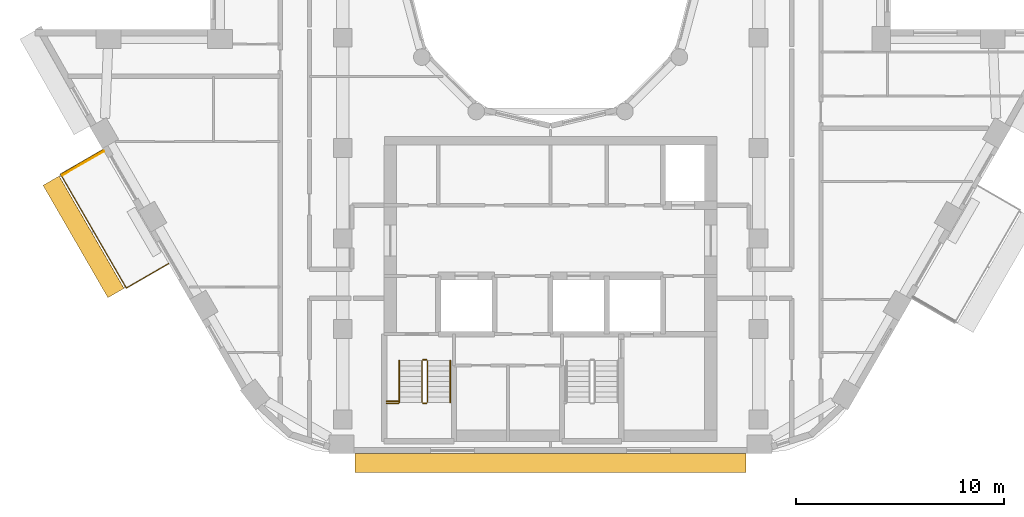
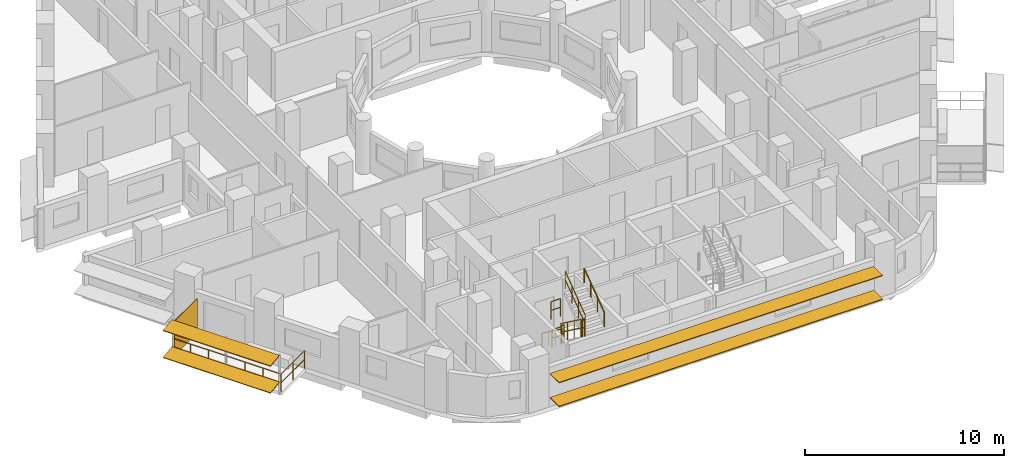
# One storey, part 13 of 16: 9 railings, 5 shading devices.
"""IFC4 building model written with IfcOpenShell, lengths in metres."""

from ifc_helpers import new_model, si_unit, direction, frame, origin, origin_2d, place, context, subcontext, project, spatial, rectangle, circle, extrude, material, layer, layer_set, material_profile, profile_set, type_object, element, save


model = new_model("IFC4")

# Units and contexts
model_context = context("Model", 3, precision=1e-05, world=origin(), true_north=direction((0.0, 1.0)))
body_context = subcontext(model_context, "Body", "Model", "MODEL_VIEW")
ifc_project = project(units=[si_unit("LENGTHUNIT", "METRE"), si_unit("AREAUNIT", "SQUARE_METRE"), si_unit("VOLUMEUNIT", "CUBIC_METRE"), si_unit("PLANEANGLEUNIT", "RADIAN"), si_unit("MASSUNIT", "GRAM", prefix="KILO")], contexts=[model_context])

# Site, building, storey
site_placement = place(None, origin())
site = spatial("IfcSite", under=ifc_project, at=site_placement, CompositionType="ELEMENT")
building_placement = place(site_placement, origin())
building = spatial("IfcBuilding", under=site, at=building_placement, Name="Nakaniwa Court", CompositionType="ELEMENT")
storey_placement = place(building_placement, frame((0.0, 0.0, 196.5)))
storey = spatial("IfcBuildingStorey", under=building, at=storey_placement, Name="L51", CompositionType="ELEMENT", Elevation=196.5)

# Railing
ifc_material_1 = material(Name="Black powder-coated steel flat bar balustrade S275", Category="steel")
railing_type_1 = type_object("IfcRailingType", Name="Black metal balcony guard 1100", PredefinedType="GUARDRAIL", material=ifc_material_1)
railing_1_placement = place(storey_placement, frame((58.4814453125, 71.97119140625, -0.050048828125)))
element("IfcRailing", 1, at=railing_1_placement, inside=storey, type_object=railing_type_1, Name="L51 balcony guard 01", PredefinedType="GUARDRAIL", context=body_context, shape_type="SweptSolid", body=[
    extrude(circle(Radius=0.02392578125, at=origin_2d()), frame((0.0, 0.0, 1.076171875), z_axis=(-0.866051224006, -0.499955275397, 0.0), x_axis=(0.499955275397, -0.866051224006, 0.0)), (0.0, 0.0, 1.0), 2.360107421875),
    extrude(circle(Radius=0.02392578125, at=origin_2d()), frame((0.0, 0.0, 0.550048828125), z_axis=(-0.866051224006, -0.499955275397, 0.0), x_axis=(0.499955275397, -0.866051224006, 0.0)), (0.0, 0.0, 1.0), 2.360107421875),
    extrude(circle(Radius=0.02392578125, at=origin_2d()), frame((-2.0439453125, -1.179931640625, 1.076171875), z_axis=(0.500003371769, -0.866023457084, 0.0), x_axis=(0.866023457084, 0.500003371769, 0.0)), (0.0, 0.0, 1.0), 6.3193359375),
    extrude(circle(Radius=0.02392578125, at=origin_2d()), frame((-2.0439453125, -1.179931640625, 0.550048828125), z_axis=(0.500003371769, -0.866023457084, 0.0), x_axis=(0.866023457084, 0.500003371769, 0.0)), (0.0, 0.0, 1.0), 6.3193359375),
    extrude(circle(Radius=0.02392578125, at=origin_2d()), frame((1.11572265625, -6.652587890625, 1.076171875), z_axis=(0.865980564943, 0.500077655111, 0.0), x_axis=(-0.500077655111, 0.865980564943, 0.0)), (0.0, 0.0, 1.0), 2.35986328125),
    extrude(circle(Radius=0.02392578125, at=origin_2d()), frame((1.11572265625, -6.652587890625, 0.550048828125), z_axis=(0.865980564943, 0.500077655111, 0.0), x_axis=(-0.500077655111, 0.865980564943, 0.0)), (0.0, 0.0, 1.0), 2.35986328125),
    extrude(circle(Radius=0.02099609375, at=origin_2d()), origin(), (0.0, 0.0, 1.0), 1.052001953125),
    extrude(circle(Radius=0.02099609375, at=origin_2d()), frame((-1.02197265625, -0.58984375, 0.0)), (0.0, 0.0, 1.0), 1.052001953125),
    extrude(circle(Radius=0.02099609375, at=origin_2d()), frame((-2.0439453125, -1.179931640625, 0.0)), (0.0, 0.0, 1.0), 1.052001953125),
    extrude(circle(Radius=0.02099609375, at=origin_2d()), frame((-1.517333984375, -2.092041015625, 0.0)), (0.0, 0.0, 1.0), 1.052001953125),
    extrude(circle(Radius=0.02099609375, at=origin_2d()), frame((-0.99072265625, -3.004150390625, 0.0)), (0.0, 0.0, 1.0), 1.052001953125),
    extrude(circle(Radius=0.02099609375, at=origin_2d()), frame((-0.464111328125, -3.916259765625, 0.0)), (0.0, 0.0, 1.0), 1.052001953125),
    extrude(circle(Radius=0.02099609375, at=origin_2d()), frame((0.0625, -4.828369140625, 0.0)), (0.0, 0.0, 1.0), 1.052001953125),
    extrude(circle(Radius=0.02099609375, at=origin_2d()), frame((0.589111328125, -5.740478515625, 0.0)), (0.0, 0.0, 1.0), 1.052001953125),
    extrude(circle(Radius=0.02099609375, at=origin_2d()), frame((1.11572265625, -6.652587890625, 0.0)), (0.0, 0.0, 1.0), 1.052001953125),
    extrude(circle(Radius=0.02099609375, at=origin_2d()), frame((2.1376953125, -6.0625, 0.0)), (0.0, 0.0, 1.0), 1.052001953125),
    extrude(circle(Radius=0.02099609375, at=origin_2d()), frame((3.159423828125, -5.472412109375, 0.0)), (0.0, 0.0, 1.0), 1.052001953125),
])

# Shading devices
ifc_material_2 = material(Name="Black powder-coated aluminium slat screen", Category="aluminium")
ifc_layer = layer(ifc_material_2, 0.0400390625)
ifc_layer_set = layer_set([ifc_layer], Name="Black powder-coated aluminium slat screen")
shading_device_type_1 = type_object("IfcShadingDeviceType", Name="Koshi screen black metal", PredefinedType="USERDEFINED", material=ifc_layer_set)
shading_device_placement = place(storey_placement, frame((57.521240234375, 71.324462890625, -0.050048828125), z_axis=(0.0, 0.0, 1.0), x_axis=(0.499986396443, -0.866033257659, 0.0)))
element("IfcShadingDevice", 2, at=shading_device_placement, inside=storey, type_object=shading_device_type_1, Name="L51 balcony SCREEN 01 W", ObjectType="KOSHI SCREEN", PredefinedType="USERDEFINED", context=body_context, shape_type="SweptSolid", body=[
    extrude(rectangle(XDim=0.0400390625, YDim=2.31005859375, at=origin_2d()), origin(), (0.0, 0.0, 1.0), 2.10009765625),
])
ifc_material_3 = material(Name="Perforated charcoal ceramic louvre blade")
ifc_material_profile = material_profile(ifc_material_3, rectangle(XDim=0.89990234375, YDim=0.050048828125, at=origin_2d()), Name="Perforated ceramic louvre blade")
ifc_profile_set = profile_set([ifc_material_profile], Name="Perforated charcoal ceramic louvre blade")
shading_device_type_2 = type_object("IfcShadingDeviceType", Name="Perforated ceramic louvre blade", PredefinedType="JALOUSIE", material=ifc_profile_set)
for number, where, z_axis, x_axis, name in (
    (3, (55.981689453125, 70.48193359375, 0.5), (0.500002460556, -0.866023983177, 0.0), (0.858615027947, 0.495724870193, 0.13052619222), "L51 perforated ceramic louvre blade 01 1"),
    (4, (55.981689453125, 70.48193359375, 2.14990234375), (0.500002460556, -0.866023983177, 0.0), (0.858615027947, 0.495724870193, 0.13052619222), "L51 perforated ceramic louvre blade 01 2"),
):
    element("IfcShadingDevice", number, at=place(storey_placement, frame(where, z_axis=z_axis, x_axis=x_axis)), inside=storey, type_object=shading_device_type_2, Name=name, PredefinedType="JALOUSIE", context=body_context, shape_type="SweptSolid", body=[
        extrude(rectangle(XDim=0.89990234375, YDim=0.050048828125, at=origin_2d()), origin(), (0.0, 0.0, 1.0), 6.2392578125),
    ])
for number, where, z_axis, x_axis, name in (
    (5, (70.6005859375, 56.89990234375, 0.550048828125), (1.0, 0.0, 0.0), (0.0, 1.0, 0.0), "L51 perforated ceramic louvre blade w26 1"),
    (6, (70.6005859375, 56.89990234375, 2.014892578125), (1.0, 0.0, 0.0), (0.0, 1.0, 0.0), "L51 perforated ceramic louvre blade w26 2"),
):
    element("IfcShadingDevice", number, at=place(storey_placement, frame(where, z_axis=z_axis, x_axis=x_axis)), inside=storey, type_object=shading_device_type_2, Name=name, PredefinedType="JALOUSIE", context=body_context, shape_type="SweptSolid", body=[
        extrude(rectangle(XDim=0.89990234375, YDim=0.050048828125, at=origin_2d()), origin(), (0.0, 0.0, 1.0), 18.79296875),
    ])

# Railings
ifc_material_4 = material(Name="Black powder coated steel guard", Category="steel")
railing_type_2 = type_object("IfcRailingType", Name="Stair guard 1100", PredefinedType="GUARDRAIL", material=ifc_material_4)
railing_2_placement = place(storey_placement, frame((73.824951171875, 61.824951171875, 0.183349609375)))
element("IfcRailing", 7, at=railing_2_placement, inside=storey, type_object=railing_type_2, Name="L51 ST3 stair guard 1", PredefinedType="GUARDRAIL", context=body_context, shape_type="SweptSolid", body=[
    extrude(circle(Radius=0.02392578125, at=origin_2d()), frame((0.0, 0.0, 1.076171875), z_axis=(0.0, -0.806426902644, 0.591333789573), x_axis=(1.0, 0.0, 0.0)), (0.0, 0.0, 1.0), 2.47998046875),
    extrude(circle(Radius=0.02392578125, at=origin_2d()), frame((0.0, 0.0, 0.550048828125), z_axis=(0.0, -0.806426902644, 0.591333789573), x_axis=(1.0, 0.0, 0.0)), (0.0, 0.0, 1.0), 2.47998046875),
    extrude(circle(Radius=0.02099609375, at=origin_2d()), origin(), (0.0, 0.0, 1.0), 1.052001953125),
    extrude(circle(Radius=0.02099609375, at=origin_2d()), frame((0.0, -0.666748046875, 0.48876953125)), (0.0, 0.0, 1.0), 1.052001953125),
    extrude(circle(Radius=0.02099609375, at=origin_2d()), frame((0.0, -1.333251953125, 0.977783203125)), (0.0, 0.0, 1.0), 1.052001953125),
    extrude(circle(Radius=0.02099609375, at=origin_2d()), frame((0.0, -2.0, 1.466552734375)), (0.0, 0.0, 1.0), 1.052001953125),
])
railing_3_placement = place(storey_placement, frame((73.875, 59.77490234375, 1.64990234375)))
element("IfcRailing", 8, at=railing_3_placement, inside=storey, type_object=railing_type_2, Name="L51 ST3 stair guard 2", PredefinedType="GUARDRAIL", context=body_context, shape_type="SweptSolid", body=[
    extrude(circle(Radius=0.02392578125, at=origin_2d()), frame((0.0, 0.0, 1.076171875), z_axis=(1.0, 0.0, 0.0), x_axis=(0.0, 1.0, 0.0)), (0.0, 0.0, 1.0), 0.14990234375),
    extrude(circle(Radius=0.02392578125, at=origin_2d()), frame((0.0, 0.0, 0.550048828125), z_axis=(1.0, 0.0, 0.0), x_axis=(0.0, 1.0, 0.0)), (0.0, 0.0, 1.0), 0.14990234375),
    extrude(circle(Radius=0.02099609375, at=origin_2d()), origin(), (0.0, 0.0, 1.0), 1.052001953125),
    extrude(circle(Radius=0.02099609375, at=origin_2d()), frame((0.14990234375, 0.0, 0.0)), (0.0, 0.0, 1.0), 1.052001953125),
])
railing_4_placement = place(storey_placement, frame((74.074951171875, 59.824951171875, 1.833251953125)))
element("IfcRailing", 9, at=railing_4_placement, inside=storey, type_object=railing_type_2, Name="L51 ST3 stair guard 3", PredefinedType="GUARDRAIL", context=body_context, shape_type="SweptSolid", body=[
    extrude(circle(Radius=0.02392578125, at=origin_2d()), frame((0.0, 0.0, 1.076171875), z_axis=(0.0, 0.806379959628, 0.591397802423), x_axis=(-1.0, 0.0, 0.0)), (0.0, 0.0, 1.0), 2.480224609375),
    extrude(circle(Radius=0.02392578125, at=origin_2d()), frame((0.0, 0.0, 0.550048828125), z_axis=(0.0, 0.806379959628, 0.591397802423), x_axis=(-1.0, 0.0, 0.0)), (0.0, 0.0, 1.0), 2.480224609375),
    extrude(circle(Radius=0.02099609375, at=origin_2d()), origin(), (0.0, 0.0, 1.0), 1.052001953125),
    extrude(circle(Radius=0.02099609375, at=origin_2d()), frame((0.0, 0.666748046875, 0.489013671875)), (0.0, 0.0, 1.0), 1.052001953125),
    extrude(circle(Radius=0.02099609375, at=origin_2d()), frame((0.0, 1.333251953125, 0.977783203125)), (0.0, 0.0, 1.0), 1.052001953125),
    extrude(circle(Radius=0.02099609375, at=origin_2d()), frame((0.0, 2.0, 1.466796875)), (0.0, 0.0, 1.0), 1.052001953125),
])
railing_5_placement = place(storey_placement, frame((73.875, 61.875, 0.0)))
element("IfcRailing", 10, at=railing_5_placement, inside=storey, type_object=railing_type_2, Name="L51 ST3 stair guard 4", PredefinedType="GUARDRAIL", context=body_context, shape_type="SweptSolid", body=[
    extrude(circle(Radius=0.02392578125, at=origin_2d()), frame((0.0, 0.0, 1.076171875), z_axis=(1.0, 0.0, 0.0), x_axis=(0.0, 1.0, 0.0)), (0.0, 0.0, 1.0), 0.14990234375),
    extrude(circle(Radius=0.02392578125, at=origin_2d()), frame((0.0, 0.0, 0.550048828125), z_axis=(1.0, 0.0, 0.0), x_axis=(0.0, 1.0, 0.0)), (0.0, 0.0, 1.0), 0.14990234375),
    extrude(circle(Radius=0.02099609375, at=origin_2d()), origin(), (0.0, 0.0, 1.0), 1.052001953125),
    extrude(circle(Radius=0.02099609375, at=origin_2d()), frame((0.14990234375, 0.0, 0.0)), (0.0, 0.0, 1.0), 1.052001953125),
])
for number, where, name in (
    (11, (72.125, 59.77490234375, 1.64990234375), "L51 ST3 landing side guard 1W"),
    (12, (72.125, 59.875, 3.300048828125), "L51 ST3 floor edge guard 1W"),
):
    element("IfcRailing", number, at=place(storey_placement, frame(where)), inside=storey, type_object=railing_type_2, Name=name, PredefinedType="GUARDRAIL", context=body_context, shape_type="SweptSolid", body=[
        extrude(circle(Radius=0.02392578125, at=origin_2d()), frame((0.0, 0.0, 1.076171875), z_axis=(1.0, 0.0, 0.0), x_axis=(0.0, 1.0, 0.0)), (0.0, 0.0, 1.0), 0.550048828125),
        extrude(circle(Radius=0.02392578125, at=origin_2d()), frame((0.0, 0.0, 0.550048828125), z_axis=(1.0, 0.0, 0.0), x_axis=(0.0, 1.0, 0.0)), (0.0, 0.0, 1.0), 0.550048828125),
        extrude(circle(Radius=0.02099609375, at=origin_2d()), origin(), (0.0, 0.0, 1.0), 1.052001953125),
        extrude(circle(Radius=0.02099609375, at=origin_2d()), frame((0.550048828125, 0.0, 0.0)), (0.0, 0.0, 1.0), 1.052001953125),
    ])
ifc_material_5 = material(Name="Black powder coated steel handrail", Category="steel")
railing_type_3 = type_object("IfcRailingType", Name="Stair handrail 900", PredefinedType="HANDRAIL", material=ifc_material_5)
railing_6_placement = place(storey_placement, frame((72.72509765625, 61.824951171875, 0.183349609375)))
element("IfcRailing", 13, at=railing_6_placement, inside=storey, type_object=railing_type_3, Name="L51 ST3 stair handrail 1", PredefinedType="HANDRAIL", context=body_context, shape_type="SweptSolid", body=[
    extrude(circle(Radius=0.02392578125, at=origin_2d()), frame((0.0, 0.0, 0.8759765625), z_axis=(0.0, -0.806426902644, 0.591333789573), x_axis=(1.0, 0.0, 0.0)), (0.0, 0.0, 1.0), 2.47998046875),
    extrude(circle(Radius=0.02099609375, at=origin_2d()), origin(), (0.0, 0.0, 1.0), 0.851806640625),
    extrude(circle(Radius=0.02099609375, at=origin_2d()), frame((0.0, -0.666748046875, 0.48876953125)), (0.0, 0.0, 1.0), 0.851806640625),
    extrude(circle(Radius=0.02099609375, at=origin_2d()), frame((0.0, -1.333251953125, 0.977783203125)), (0.0, 0.0, 1.0), 0.851806640625),
    extrude(circle(Radius=0.02099609375, at=origin_2d()), frame((0.0, -2.0, 1.466552734375)), (0.0, 0.0, 1.0), 0.851806640625),
])
railing_7_placement = place(storey_placement, frame((75.175048828125, 59.824951171875, 1.833251953125)))
element("IfcRailing", 14, at=railing_7_placement, inside=storey, type_object=railing_type_3, Name="L51 ST3 stair handrail 2", PredefinedType="HANDRAIL", context=body_context, shape_type="SweptSolid", body=[
    extrude(circle(Radius=0.02392578125, at=origin_2d()), frame((0.0, 0.0, 0.8759765625), z_axis=(0.0, 0.806379959628, 0.591397802423), x_axis=(-1.0, 0.0, 0.0)), (0.0, 0.0, 1.0), 2.480224609375),
    extrude(circle(Radius=0.02099609375, at=origin_2d()), origin(), (0.0, 0.0, 1.0), 0.851806640625),
    extrude(circle(Radius=0.02099609375, at=origin_2d()), frame((0.0, 0.666748046875, 0.489013671875)), (0.0, 0.0, 1.0), 0.851806640625),
    extrude(circle(Radius=0.02099609375, at=origin_2d()), frame((0.0, 1.333251953125, 0.977783203125)), (0.0, 0.0, 1.0), 0.851806640625),
    extrude(circle(Radius=0.02099609375, at=origin_2d()), frame((0.0, 2.0, 1.466796875)), (0.0, 0.0, 1.0), 0.851806640625),
])

save(model, "model.ifc")
